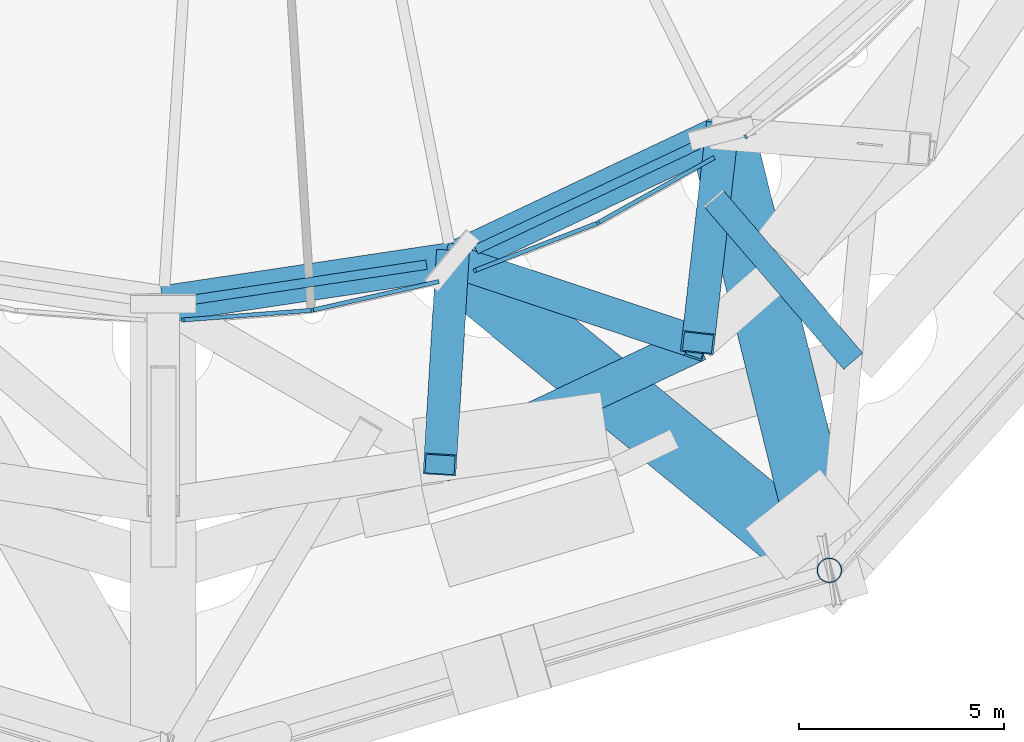
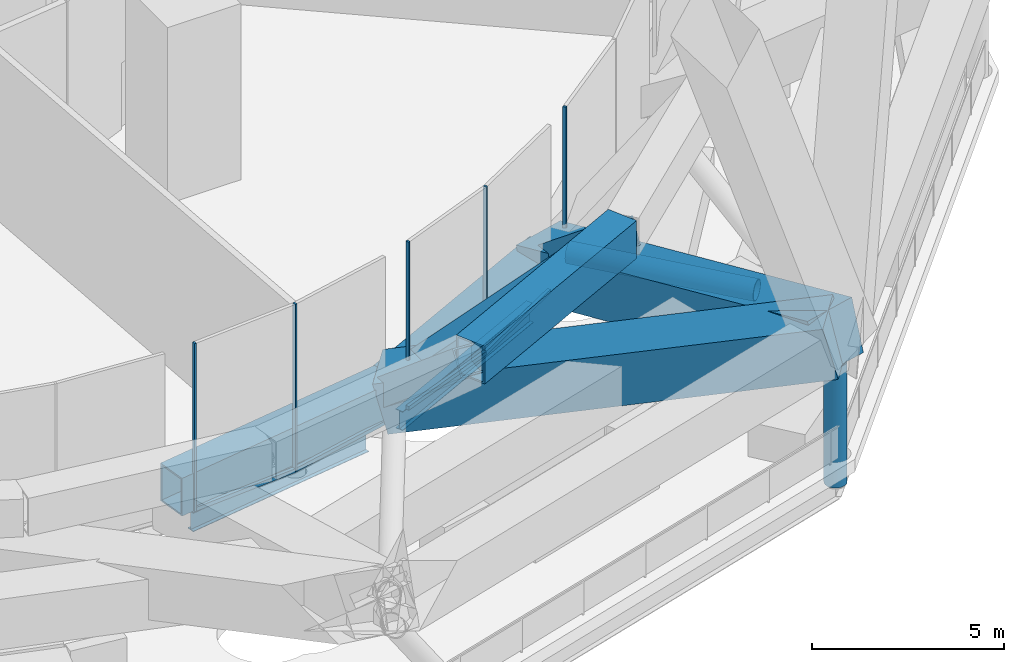
# One storey, part 8 of 65: 13 members, 8 beams, 5 elements without a shape of their own.
"""IFC4 building model written with IfcOpenShell, lengths in metres."""

from ifc_helpers import new_model, si_unit, direction, frame, origin, origin_2d, place, context, subcontext, project, spatial, rectangle, hollow_rectangle, hollow_circle, i_section, extrude, material, layer, layer_set, material_profile, profile_set, type_object, element, aggregate, save


model = new_model("IFC4")

# Units and contexts
model_context = context("Model", 3, precision=1e-05, world=origin(), true_north=direction((0.0, 1.0)))
body_context = subcontext(model_context, "Body", "Model", "MODEL_VIEW")
ifc_project = project(units=[si_unit("LENGTHUNIT", "METRE"), si_unit("AREAUNIT", "SQUARE_METRE"), si_unit("VOLUMEUNIT", "CUBIC_METRE"), si_unit("PLANEANGLEUNIT", "RADIAN"), si_unit("MASSUNIT", "GRAM", prefix="KILO")], contexts=[model_context])

# Site, building, storey
site_placement = place(None, origin())
site = spatial("IfcSite", under=ifc_project, at=site_placement, CompositionType="ELEMENT")
building_placement = place(site_placement, origin())
building = spatial("IfcBuilding", under=site, at=building_placement, Name="Nagisa Residences", CompositionType="ELEMENT")
storey_placement = place(building_placement, frame((0.0, 0.0, 114.0)))
storey = spatial("IfcBuildingStorey", under=building, at=storey_placement, Name="L28", CompositionType="ELEMENT", Elevation=114.0)

# Beams
ifc_material_1 = material(Name="Steel ASTM A572 Gr 50", Category="steel")
ifc_material_profile_1 = material_profile(ifc_material_1, hollow_rectangle(XDim=0.89990234375, YDim=1.199951171875, WallThickness=0.050048828125, at=origin_2d()), Name="BX 900x1200x50")
ifc_profile_set_1 = profile_set([ifc_material_profile_1], Name="Steel ASTM A572 Gr 50")
beam_type_1 = type_object("IfcBeamType", Name="Belt chord 2 BX 900x1200x50", PredefinedType="BEAM", material=ifc_profile_set_1)
beam_1_placement = place(storey_placement, frame((-1.800048828125, -27.897216796875, 0.60009765625), z_axis=(0.988918733765, 0.148457866103, 0.0), x_axis=(-0.148457866103, 0.988918733765, 0.0)))
element("IfcBeam", 1, at=beam_1_placement, inside=storey, type_object=beam_type_1, Name="beam:L28:bt2b19", PredefinedType="BEAM", context=body_context, shape_type="SweptSolid", body=[
    extrude(hollow_rectangle(XDim=0.89990234375, YDim=1.199951171875, WallThickness=0.050048828125, at=origin_2d()), origin(), (0.0, 0.0, 1.0), 7.117431640625),
])
beam_2_placement = place(storey_placement, frame((5.238525390625, -26.840576171875, 0.60009765625), z_axis=(0.904193048846, 0.427124022292, 0.0), x_axis=(-0.427124022292, 0.904193048846, 0.0)))
element("IfcBeam", 2, at=beam_2_placement, inside=storey, type_object=beam_type_1, Name="beam:L28:bt2b20", PredefinedType="BEAM", context=body_context, shape_type="SweptSolid", body=[
    extrude(hollow_rectangle(XDim=0.89990234375, YDim=1.199951171875, WallThickness=0.050048828125, at=origin_2d()), origin(), (0.0, 0.0, 1.0), 7.254150390625),
])
beam_3_placement = place(storey_placement, frame((4.938232421875, -31.80078125, 4.739990234375), z_axis=(0.904174731044, 0.427162797703, 0.0), x_axis=(-0.427162797703, 0.904174731044, 0.0)))
element("IfcBeam", 3, at=beam_3_placement, inside=storey, type_object=beam_type_1, Name="beam:L28:bt2t20", PredefinedType="BEAM", context=body_context, shape_type="SweptSolid", body=[
    extrude(hollow_rectangle(XDim=0.89990234375, YDim=1.199951171875, WallThickness=0.050048828125, at=origin_2d()), origin(), (0.0, 0.0, 1.0), 6.94482421875),
])
ifc_material_2 = material(Name="Steel ASTM A572 Gr 50", Category="steel")
ifc_material_profile_2 = material_profile(ifc_material_2, hollow_rectangle(XDim=0.800048828125, YDim=0.800048828125, WallThickness=0.044921875, at=origin_2d()), Name="BX 800x800x45")
ifc_profile_set_2 = profile_set([ifc_material_profile_2], Name="Steel ASTM A572 Gr 50")
beam_type_2 = type_object("IfcBeamType", Name="Belt diagonal 2 BX 800x800x45", PredefinedType="BEAM", material=ifc_profile_set_2)
beam_4_placement = place(storey_placement, frame((5.238525390625, -26.840576171875, 0.60009765625), z_axis=(-0.04642887338, -0.766906845899, 0.640076752764), x_axis=(0.998172450062, -0.060429793453, 0.0)))
element("IfcBeam", 4, at=beam_4_placement, inside=storey, type_object=beam_type_2, Name="beam:L28:bt2da20", PredefinedType="BEAM", context=body_context, shape_type="SweptSolid", body=[
    extrude(hollow_rectangle(XDim=0.800048828125, YDim=0.800048828125, WallThickness=0.044921875, at=origin_2d()), origin(), (0.0, 0.0, 1.0), 6.4677734375),
])
beam_5_placement = place(storey_placement, frame((5.238525390625, -26.840576171875, 0.60009765625), z_axis=(0.792899880428, -0.26438629741, 0.549007891891), x_axis=(0.31632073165, 0.948652304445, 0.0)))
element("IfcBeam", 5, at=beam_5_placement, inside=storey, type_object=beam_type_2, Name="beam:L28:bt2db20", PredefinedType="BEAM", context=body_context, shape_type="SweptSolid", body=[
    extrude(hollow_rectangle(XDim=0.800048828125, YDim=0.800048828125, WallThickness=0.044921875, at=origin_2d()), origin(), (0.0, 0.0, 1.0), 7.540771484375),
])
beam_6_placement = place(storey_placement, frame((11.797607421875, -23.7421875, 0.60009765625), z_axis=(-0.088048344808, -0.772905861814, 0.628382063517), x_axis=(0.993573757548, -0.113186520014, 0.0)))
element("IfcBeam", 6, at=beam_6_placement, inside=storey, type_object=beam_type_2, Name="beam:L28:bt2da21", PredefinedType="BEAM", context=body_context, shape_type="SweptSolid", body=[
    extrude(hollow_rectangle(XDim=0.800048828125, YDim=0.800048828125, WallThickness=0.044921875, at=origin_2d()), origin(), (0.0, 0.0, 1.0), 6.588134765625),
])

# Curtain wall, member
ifc_material_3 = material(Name="Aluminium curtain wall system", Category="aluminium")
ifc_layer = layer(ifc_material_3, 0.159912109375)
ifc_layer_set = layer_set([ifc_layer], Name="CW5 CURTAIN WALL")
curtain_wall_type = type_object("IfcCurtainWallType", Name="CW5 CURTAIN WALL", PredefinedType="NOTDEFINED", material=ifc_layer_set)
curtain_wall_1_placement = place(storey_placement, origin())
curtain_wall_1 = element("IfcCurtainWall", 7, at=curtain_wall_1_placement, inside=storey, type_object=curtain_wall_type, Name="cw:CW5:L28:36", PredefinedType="NOTDEFINED")
ifc_material_4 = material(Name="Aluminium", Category="aluminium")
ifc_material_profile_3 = material_profile(ifc_material_4, rectangle(XDim=0.10009765625, YDim=0.06005859375, at=origin_2d()), Name="CW5 MULLION 100x60")
ifc_profile_set_3 = profile_set([ifc_material_profile_3], Name="Aluminium")
member_type_1 = type_object("IfcMemberType", Name="CW5 MULLION 100x60", PredefinedType="MULLION", material=ifc_profile_set_3)
member_1_placement = place(storey_placement, frame((-1.327392578125, -28.28173828125, 0.0), z_axis=(0.0, 0.0, 1.0), x_axis=(-0.074377355493, 0.997230168512, 0.0)))
member_1 = element("IfcMember", 8, at=member_1_placement, type_object=member_type_1, Name="CW5 mullion", PredefinedType="MULLION", context=body_context, shape_type="SweptSolid", body=[
    extrude(rectangle(XDim=0.10009765625, YDim=0.06005859375, at=origin_2d()), origin(), (0.0, 0.0, 1.0), 5.340087890625),
])

curtain_wall_2_placement = place(storey_placement, origin())
curtain_wall_2 = element("IfcCurtainWall", 9, at=curtain_wall_2_placement, inside=storey, type_object=curtain_wall_type, Name="cw:CW5:L28:37", PredefinedType="NOTDEFINED")
member_2_placement = place(storey_placement, frame((1.826416015625, -28.04296875, 0.0), z_axis=(0.0, 0.0, 1.0), x_axis=(-0.2207639201, 0.975327274089, 0.0)))
member_2 = element("IfcMember", 10, at=member_2_placement, type_object=member_type_1, Name="CW5 mullion", PredefinedType="MULLION", context=body_context, shape_type="SweptSolid", body=[
    extrude(rectangle(XDim=0.10009765625, YDim=0.06005859375, at=origin_2d()), origin(), (0.0, 0.0, 1.0), 5.340087890625),
])

curtain_wall_3_placement = place(storey_placement, origin())
curtain_wall_3 = element("IfcCurtainWall", 11, at=curtain_wall_3_placement, inside=storey, type_object=curtain_wall_type, Name="cw:CW5:L28:38", PredefinedType="NOTDEFINED")
member_3_placement = place(storey_placement, frame((5.786865234375, -27.075927734375, 0.0), z_axis=(0.0, 0.0, 1.0), x_axis=(-0.360327770268, 0.932825759707, 0.0)))
member_3 = element("IfcMember", 12, at=member_3_placement, type_object=member_type_1, Name="CW5 mullion", PredefinedType="MULLION", context=body_context, shape_type="SweptSolid", body=[
    extrude(rectangle(XDim=0.10009765625, YDim=0.06005859375, at=origin_2d()), origin(), (0.0, 0.0, 1.0), 5.340087890625),
])

curtain_wall_4_placement = place(storey_placement, origin())
curtain_wall_4 = element("IfcCurtainWall", 13, at=curtain_wall_4_placement, inside=storey, type_object=curtain_wall_type, Name="cw:CW5:L28:39", PredefinedType="NOTDEFINED")
member_4_placement = place(storey_placement, frame((8.785400390625, -25.913818359375, 0.0), z_axis=(0.0, 0.0, 1.0), x_axis=(-0.489376918501, 0.872072377523, 0.0)))
member_4 = element("IfcMember", 14, at=member_4_placement, type_object=member_type_1, Name="CW5 mullion", PredefinedType="MULLION", context=body_context, shape_type="SweptSolid", body=[
    extrude(rectangle(XDim=0.10009765625, YDim=0.06005859375, at=origin_2d()), origin(), (0.0, 0.0, 1.0), 5.340087890625),
])

curtain_wall_5_placement = place(storey_placement, origin())
curtain_wall_5 = element("IfcCurtainWall", 15, at=curtain_wall_5_placement, inside=storey, type_object=curtain_wall_type, Name="cw:CW5:L28:40", PredefinedType="NOTDEFINED")
member_5_placement = place(storey_placement, frame((12.381103515625, -23.82080078125, 0.0), z_axis=(0.0, 0.0, 1.0), x_axis=(-0.605255421737, 0.79603132756, 0.0)))
member_5 = element("IfcMember", 16, at=member_5_placement, type_object=member_type_1, Name="CW5 mullion", PredefinedType="MULLION", context=body_context, shape_type="SweptSolid", body=[
    extrude(rectangle(XDim=0.10009765625, YDim=0.06005859375, at=origin_2d()), origin(), (0.0, 0.0, 1.0), 5.340087890625),
])
aggregate(curtain_wall_5, [member_5])

# Member
ifc_material_5 = material(Name="Aluminium", Category="aluminium")
ifc_material_profile_4 = material_profile(ifc_material_5, rectangle(XDim=0.10009765625, YDim=0.1201171875, at=origin_2d()), Name="CW5 TRANSOM 100x120")
ifc_profile_set_4 = profile_set([ifc_material_profile_4], Name="Aluminium")
member_type_2 = type_object("IfcMemberType", Name="CW5 TRANSOM 100x120", PredefinedType="USERDEFINED", material=ifc_profile_set_4)
member_6_placement = place(storey_placement, frame((-1.357177734375, -28.2841796875, 0.06005859375), z_axis=(0.997226055641, 0.074432479132, 0.0), x_axis=(-0.074432479132, 0.997226055641, 0.0)))
member_6 = element("IfcMember", 17, at=member_6_placement, type_object=member_type_2, Name="CW5 transom", ObjectType="TRANSOM", PredefinedType="USERDEFINED", context=body_context, shape_type="SweptSolid", body=[
    extrude(rectangle(XDim=0.10009765625, YDim=0.1201171875, at=origin_2d()), origin(), (0.0, 0.0, 1.0), 3.175048828125),
])

aggregate(curtain_wall_1, [member_1, member_6])

member_7_placement = place(storey_placement, frame((1.79736328125, -28.049560546875, 0.06005859375), z_axis=(0.975328522603, 0.220758404136, 0.0), x_axis=(-0.220758404136, 0.975328522603, 0.0)))
member_7 = element("IfcMember", 18, at=member_7_placement, type_object=member_type_2, Name="CW5 transom", ObjectType="TRANSOM", PredefinedType="USERDEFINED", context=body_context, shape_type="SweptSolid", body=[
    extrude(rectangle(XDim=0.10009765625, YDim=0.1201171875, at=origin_2d()), origin(), (0.0, 0.0, 1.0), 3.19287109375),
])

aggregate(curtain_wall_2, [member_2, member_7])

member_8_placement = place(storey_placement, frame((5.759033203125, -27.086669921875, 0.06005859375), z_axis=(0.932829920428, 0.360316998702, 0.0), x_axis=(-0.360316998702, 0.932829920428, 0.0)))
member_8 = element("IfcMember", 19, at=member_8_placement, type_object=member_type_2, Name="CW5 transom", ObjectType="TRANSOM", PredefinedType="USERDEFINED", context=body_context, shape_type="SweptSolid", body=[
    extrude(rectangle(XDim=0.10009765625, YDim=0.1201171875, at=origin_2d()), origin(), (0.0, 0.0, 1.0), 3.227294921875),
])

aggregate(curtain_wall_3, [member_3, member_8])

member_9_placement = place(storey_placement, frame((8.75927734375, -25.9287109375, 0.06005859375), z_axis=(0.872046846629, 0.489422411915, 0.0), x_axis=(-0.489422411915, 0.872046846629, 0.0)))
member_9 = element("IfcMember", 20, at=member_9_placement, type_object=member_type_2, Name="CW5 transom", ObjectType="TRANSOM", PredefinedType="USERDEFINED", context=body_context, shape_type="SweptSolid", body=[
    extrude(rectangle(XDim=0.10009765625, YDim=0.1201171875, at=origin_2d()), origin(), (0.0, 0.0, 1.0), 3.27587890625),
])

aggregate(curtain_wall_4, [member_4, member_9])

# Members
ifc_material_6 = material(Name="Concrete C80", Category="concrete")
ifc_material_profile_5 = material_profile(ifc_material_6, rectangle(XDim=1.60009765625, YDim=1.60009765625, at=origin_2d()), Name="C80 1600x1600")
ifc_profile_set_5 = profile_set([ifc_material_profile_5], Name="Concrete C80")
member_type_3 = type_object("IfcMemberType", Name="Cage bracket 3 C80 1600x1600", PredefinedType="BRACE", material=ifc_profile_set_5)
member_10_placement = place(storey_placement, frame((14.41748046875, -34.376953125, 3.699951171875), z_axis=(-0.230158082226, 0.934273232853, -0.272324775885), x_axis=(-0.970970689416, -0.239198495595, 0.0)))
element("IfcMember", 21, at=member_10_placement, inside=storey, type_object=member_type_3, Name="mem:L28:cg2ob07", PredefinedType="BRACE", context=body_context, shape_type="SweptSolid", body=[
    extrude(rectangle(XDim=1.60009765625, YDim=1.60009765625, at=origin_2d()), origin(), (0.0, 0.0, 1.0), 11.3828125),
])
member_11_placement = place(storey_placement, frame((14.41748046875, -34.376953125, 3.699951171875), z_axis=(-0.747816928871, 0.613994754297, -0.252547584804), x_axis=(-0.634564495178, -0.772869912378, 0.0)))
element("IfcMember", 22, at=member_11_placement, inside=storey, type_object=member_type_3, Name="mem:L28:cg2ob08", PredefinedType="BRACE", context=body_context, shape_type="SweptSolid", body=[
    extrude(rectangle(XDim=1.60009765625, YDim=1.60009765625, at=origin_2d()), origin(), (0.0, 0.0, 1.0), 12.2744140625),
])
ifc_material_7 = material(Name="Steel ASTM A572 Gr 65", Category="steel")
ifc_material_profile_6 = material_profile(ifc_material_7, hollow_circle(Radius=0.304931640625, WallThickness=0.02490234375, at=origin_2d()), Name="CHS 610x25")
ifc_profile_set_6 = profile_set([ifc_material_profile_6], Name="Steel ASTM A572 Gr 65")
member_type_4 = type_object("IfcMemberType", Name="Cage strut CHS 610x25", PredefinedType="STRUT", material=ifc_profile_set_6)
member_12_placement = place(storey_placement, frame((14.99755859375, -29.28466796875, 1.89990234375), z_axis=(-0.650996461098, 0.759080764897, 0.0), x_axis=(-0.759080764897, -0.650996461098, 0.0)))
element("IfcMember", 23, at=member_12_placement, inside=storey, type_object=member_type_4, Name="mem:L28:bt2st2a11", PredefinedType="STRUT", context=body_context, shape_type="SweptSolid", body=[
    extrude(hollow_circle(Radius=0.304931640625, WallThickness=0.02490234375, at=origin_2d()), origin(), (0.0, 0.0, 1.0), 5.1953125),
])
ifc_material_8 = material(Name="Steel ASTM A572 Gr 65", Category="steel")
ifc_material_profile_7 = material_profile(ifc_material_8, hollow_circle(Radius=0.304931640625, WallThickness=0.02490234375, at=origin_2d()), Name="CHS 610x25")
ifc_profile_set_7 = profile_set([ifc_material_profile_7], Name="Steel ASTM A572 Gr 65")
member_type_5 = type_object("IfcMemberType", Name="Deck hanger CHS 610x25", PredefinedType="POST", material=ifc_profile_set_7)
member_13_placement = place(storey_placement, frame((14.41748046875, -34.376953125, 2.949951171875), z_axis=(0.0, 0.0, -1.0), x_axis=(1.0, 0.0, 0.0)))
element("IfcMember", 24, at=member_13_placement, inside=storey, type_object=member_type_5, Name="mem:L28:deckhanger08", PredefinedType="POST", context=body_context, shape_type="SweptSolid", body=[
    extrude(hollow_circle(Radius=0.304931640625, WallThickness=0.02490234375, at=origin_2d()), origin(), (0.0, 0.0, 1.0), 3.83984375),
])

# Beams
ifc_material_9 = material(Name="Steel ASTM A572 Gr 50", Category="steel")
ifc_material_profile_8 = material_profile(ifc_material_9, i_section(OverallWidth=0.22900390625, OverallDepth=0.612060546875, WebThickness=0.011962890625, FlangeThickness=0.01953125, at=origin_2d()), Name="W610x125")
ifc_profile_set_8 = profile_set([ifc_material_profile_8], Name="Steel ASTM A572 Gr 50")
beam_type_3 = type_object("IfcBeamType", Name="Perimeter ring beam W610x125", PredefinedType="BEAM", material=ifc_profile_set_8)
beam_7_placement = place(storey_placement, frame((-1.169677734375, -27.802734375, -0.656005859375), z_axis=(0.988913048607, 0.148495731568, 0.0), x_axis=(-0.148495731568, 0.988913048607, 0.0)))
element("IfcBeam", 25, at=beam_7_placement, inside=storey, type_object=beam_type_3, Name="beam:L28:pb19", PredefinedType="BEAM", context=body_context, shape_type="SweptSolid", body=[
    extrude(i_section(OverallWidth=0.22900390625, OverallDepth=0.612060546875, WebThickness=0.011962890625, FlangeThickness=0.01953125, at=origin_2d()), origin(), (0.0, 0.0, 1.0), 5.843017578125),
])
beam_8_placement = place(storey_placement, frame((5.814453125, -26.568359375, -0.656005859375), z_axis=(0.904196975776, 0.427115709144, 0.0), x_axis=(-0.427115709144, 0.904196975776, 0.0)))
element("IfcBeam", 26, at=beam_8_placement, inside=storey, type_object=beam_type_3, Name="beam:L28:pb20", PredefinedType="BEAM", context=body_context, shape_type="SweptSolid", body=[
    extrude(i_section(OverallWidth=0.22900390625, OverallDepth=0.612060546875, WebThickness=0.011962890625, FlangeThickness=0.01953125, at=origin_2d()), origin(), (0.0, 0.0, 1.0), 5.980712890625),
])

save(model, "model.ifc")
